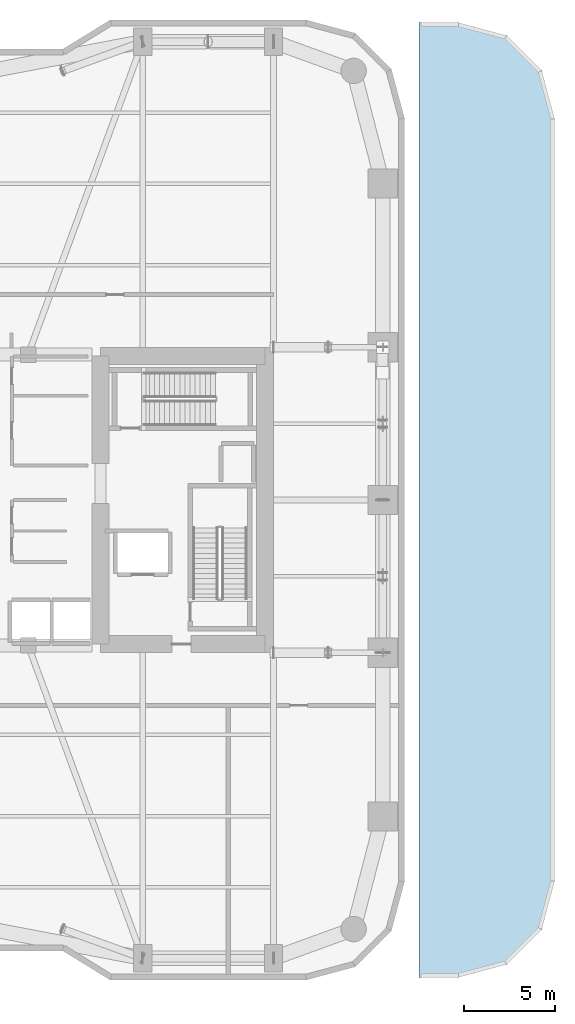
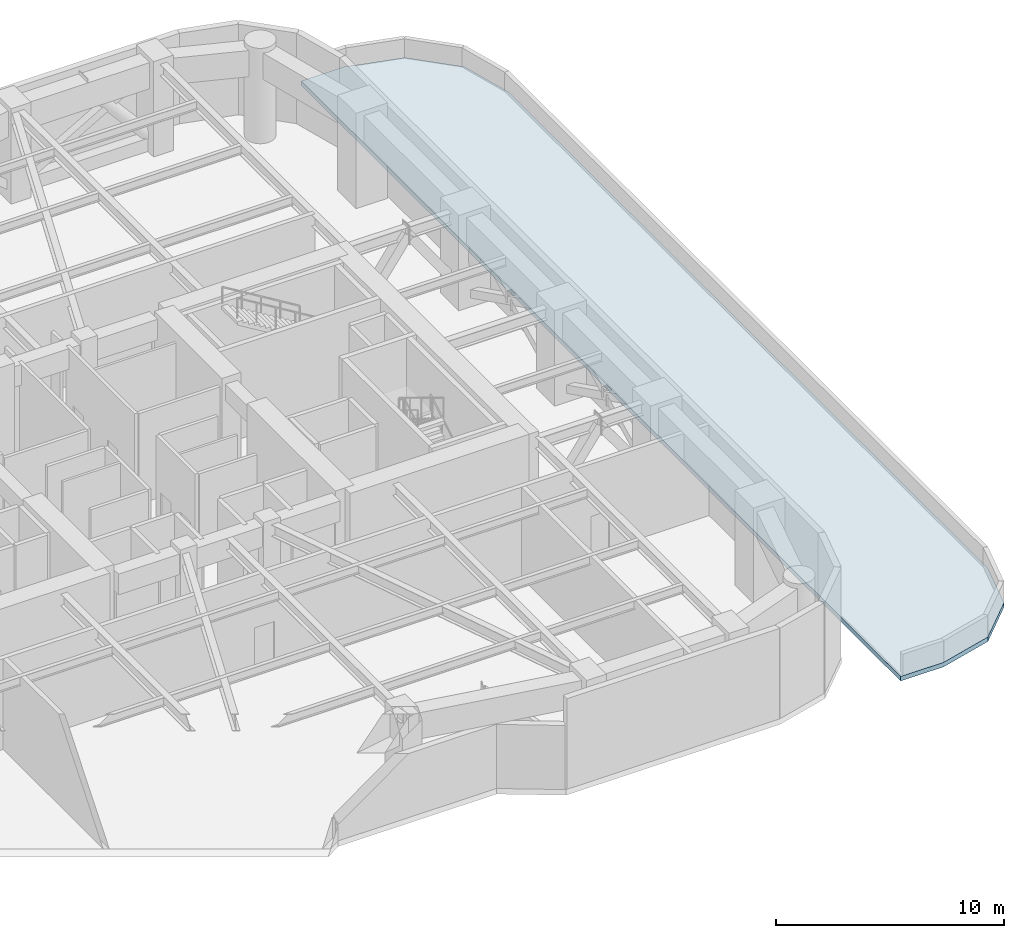
# One storey, part 6 of 16: 1 slab.
"""IFC4 building model written with IfcOpenShell, lengths in metres."""

from ifc_helpers import new_model, si_unit, direction, frame, origin, place, context, subcontext, project, spatial, polyline, outline, extrude, material, layer, layer_set, type_object, element, save


model = new_model("IFC4")

# Units and contexts
model_context = context("Model", 3, precision=1e-05, world=origin(), true_north=direction((0.0, 1.0)))
body_context = subcontext(model_context, "Body", "Model", "MODEL_VIEW")
ifc_project = project(units=[si_unit("LENGTHUNIT", "METRE"), si_unit("AREAUNIT", "SQUARE_METRE"), si_unit("VOLUMEUNIT", "CUBIC_METRE"), si_unit("PLANEANGLEUNIT", "RADIAN"), si_unit("MASSUNIT", "GRAM", prefix="KILO")], contexts=[model_context])

# Site, building, storey
site_placement = place(None, origin())
site = spatial("IfcSite", under=ifc_project, at=site_placement, CompositionType="ELEMENT")
building_placement = place(site_placement, origin())
building = spatial("IfcBuilding", under=site, at=building_placement, Name="Kiyonajd Concourse Tower", CompositionType="ELEMENT")
storey_placement = place(building_placement, frame((0.0, 0.0, 80.699951171875)))
storey = spatial("IfcBuildingStorey", under=building, at=storey_placement, Name="L21", CompositionType="ELEMENT", Elevation=80.699951171875)

# Slab
ifc_material = material(Name="Concrete C40/50", Category="concrete")
ifc_layer = layer(ifc_material, 0.239990234375)
ifc_layer_set = layer_set([ifc_layer], Name="Concrete C40/50")
slab_type = type_object("IfcSlabType", Name="SL-TERR-240", PredefinedType="ROOF", material=ifc_layer_set)
slab_placement = place(storey_placement, frame((0.0, 0.0, -0.239990234375)))
element("IfcSlab", 1, at=slab_placement, inside=storey, type_object=slab_type, Name="L21 Setback Maintenance Roof Slab 1", PredefinedType="ROOF", context=body_context, shape_type="SweptSolid", body=[
    extrude(outline(polyline([(76.422119140625, 61.54296875), (78.343017578125, 59.6220703125), (79.050048828125, 56.97998046875), (79.050048828125, 15.02001953125), (78.343017578125, 12.3779296875), (76.422119140625, 10.45703125), (73.780029296875, 9.75), (71.60009765625, 9.75), (71.60009765625, 62.25), (73.780029296875, 62.25), (76.422119140625, 61.54296875)])), origin(), (0.0, 0.0, 1.0), 0.239990234375),
])

save(model, "model.ifc")
